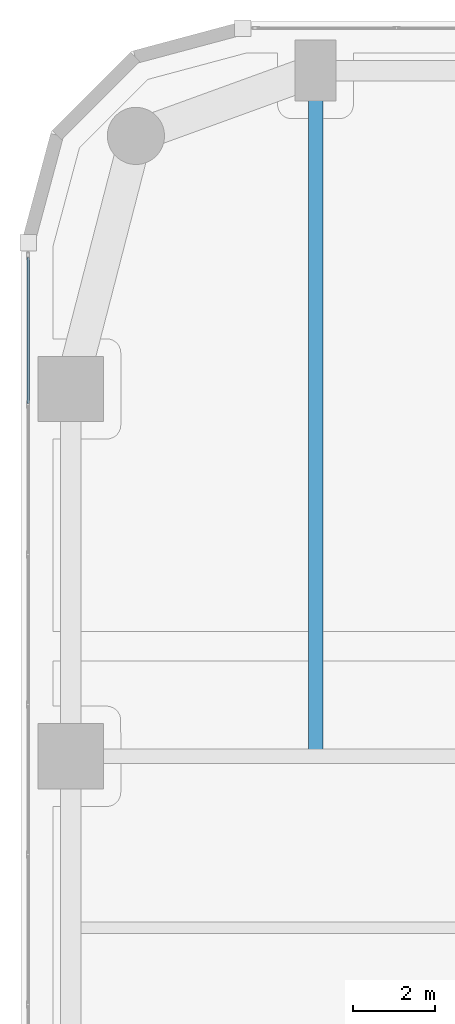
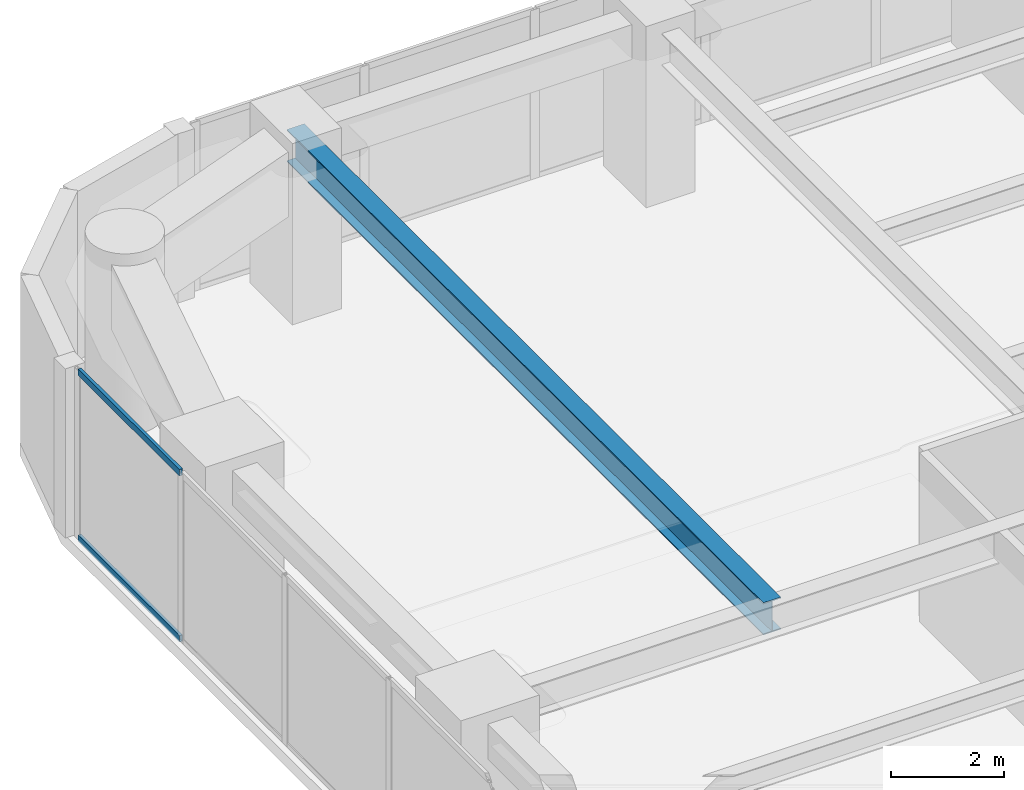
# One storey, part 13 of 29: 2 members, 1 beam, 1 element without a shape of its own.
"""IFC4 building model written with IfcOpenShell, lengths in metres."""

from ifc_helpers import new_model, si_unit, direction, frame, origin, origin_2d, place, context, subcontext, project, spatial, hollow_rectangle, i_section, extrude, material, layer, layer_set, material_profile, profile_set, type_object, element, aggregate, save


model = new_model("IFC4")

# Units and contexts
model_context = context("Model", 3, precision=1e-05, world=origin(), true_north=direction((0.0, 1.0)))
body_context = subcontext(model_context, "Body", "Model", "MODEL_VIEW")
ifc_project = project(units=[si_unit("LENGTHUNIT", "METRE"), si_unit("AREAUNIT", "SQUARE_METRE"), si_unit("VOLUMEUNIT", "CUBIC_METRE"), si_unit("PLANEANGLEUNIT", "RADIAN"), si_unit("MASSUNIT", "GRAM", prefix="KILO")], contexts=[model_context])

# Site, building, storey
site_placement = place(None, origin())
site = spatial("IfcSite", under=ifc_project, at=site_placement, CompositionType="ELEMENT")
building_placement = place(site_placement, origin())
building = spatial("IfcBuilding", under=site, at=building_placement, Name="Kiyonajd Concourse Tower", CompositionType="ELEMENT")
storey_placement = place(building_placement, frame((0.0, 0.0, 45.0)))
storey = spatial("IfcBuildingStorey", under=building, at=storey_placement, Name="L12", CompositionType="ELEMENT", Elevation=45.0)

# Beam
ifc_material_1 = material(Name="Steel ASTM A992 Grade 50", Category="steel")
ifc_material_profile_1 = material_profile(ifc_material_1, i_section(OverallWidth=0.35498046875, OverallDepth=0.695068359375, WebThickness=0.015380859375, FlangeThickness=0.02490234375, at=origin_2d()), Name="W690X217")
ifc_profile_set_1 = profile_set([ifc_material_profile_1], Name="Steel ASTM A992 Grade 50")
beam_type = type_object("IfcBeamType", Name="BM-TWR-690", PredefinedType="BEAM", material=ifc_profile_set_1)
beam_placement = place(storey_placement, frame((25.199951171875, 44.39990234375, 3.29248046875), z_axis=(0.0, 1.0, 0.0), x_axis=(-1.0, 0.0, 0.0)))
element("IfcBeam", 1, at=beam_placement, inside=storey, type_object=beam_type, Name="L12 North Lease Girder", PredefinedType="BEAM", context=body_context, shape_type="SweptSolid", body=[
    extrude(i_section(OverallWidth=0.35498046875, OverallDepth=0.695068359375, WebThickness=0.015380859375, FlangeThickness=0.02490234375, at=origin_2d()), origin(), (0.0, 0.0, 1.0), 16.800048828125),
])

# Curtain wall, members
ifc_material_2 = material(Name="Thermally Broken Anodised Aluminium", Category="aluminium")
ifc_layer = layer(ifc_material_2, 0.179931640625)
ifc_layer_set = layer_set([ifc_layer], Name="Thermally Broken Anodised Aluminium")
curtain_wall_type = type_object("IfcCurtainWallType", Name="CW-SYS-02", PredefinedType="NOTDEFINED", material=ifc_layer_set)
curtain_wall_placement = place(storey_placement, origin())
curtain_wall = element("IfcCurtainWall", 2, at=curtain_wall_placement, inside=storey, type_object=curtain_wall_type, Name="L12 Unitised Curtain Wall CW2", PredefinedType="NOTDEFINED")
ifc_material_profile_2 = material_profile(ifc_material_2, hollow_rectangle(XDim=0.06494140625, YDim=0.139892578125, WallThickness=0.00390625, at=origin_2d()), Name="TRAN-65x140")
ifc_profile_set_2 = profile_set([ifc_material_profile_2], Name="Thermally Broken Anodised Aluminium")
member_type = type_object("IfcMemberType", Name="MB-CW-TRAN1", PredefinedType="USERDEFINED", material=ifc_profile_set_2)
member_1_placement = place(storey_placement, frame((18.159912109375, 53.04833984375, 0.032470703125), z_axis=(0.0, 1.0, 0.0), x_axis=(-1.0, 0.0, 0.0)))
member_1 = element("IfcMember", 3, at=member_1_placement, type_object=member_type, Name="CW2 transom 6.1", ObjectType="TRANSOM", PredefinedType="USERDEFINED", context=body_context, shape_type="SweptSolid", body=[
    extrude(hollow_rectangle(XDim=0.06494140625, YDim=0.139892578125, WallThickness=0.00390625, at=origin_2d()), origin(), (0.0, 0.0, 1.0), 3.575439453125),
])
member_2_placement = place(storey_placement, frame((18.159912109375, 53.04833984375, 3.607421875), z_axis=(0.0, 1.0, 0.0), x_axis=(-1.0, 0.0, 0.0)))
member_2 = element("IfcMember", 4, at=member_2_placement, type_object=member_type, Name="CW2 transom 6.2", ObjectType="TRANSOM", PredefinedType="USERDEFINED", context=body_context, shape_type="SweptSolid", body=[
    extrude(hollow_rectangle(XDim=0.06494140625, YDim=0.139892578125, WallThickness=0.00390625, at=origin_2d()), origin(), (0.0, 0.0, 1.0), 3.575439453125),
])
aggregate(curtain_wall, [member_1, member_2])

save(model, "model.ifc")
